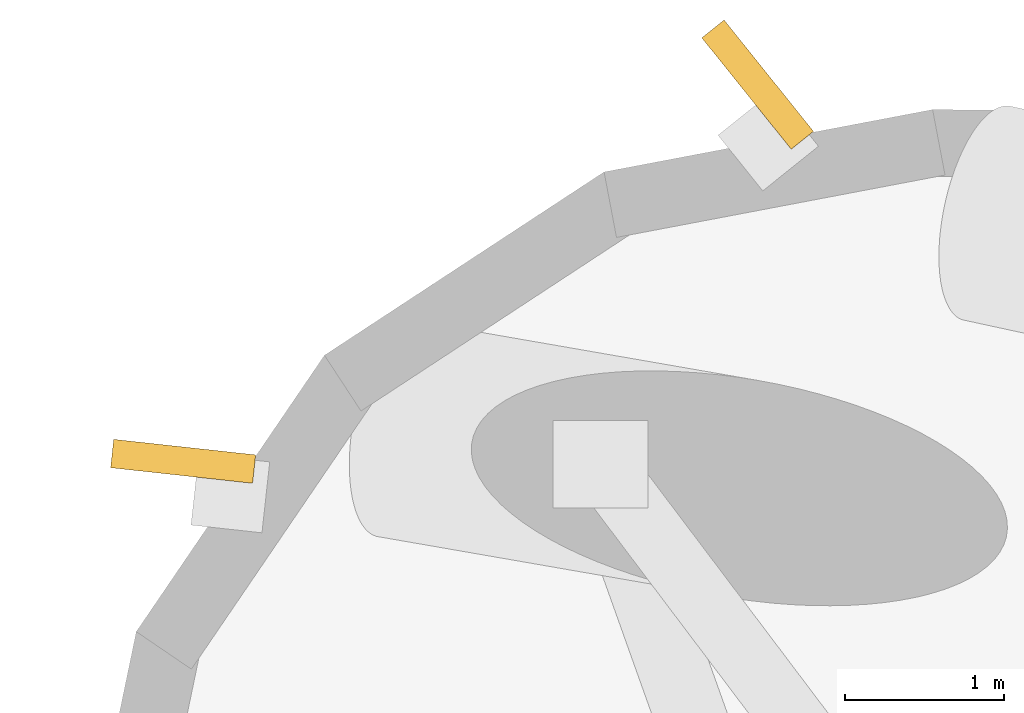
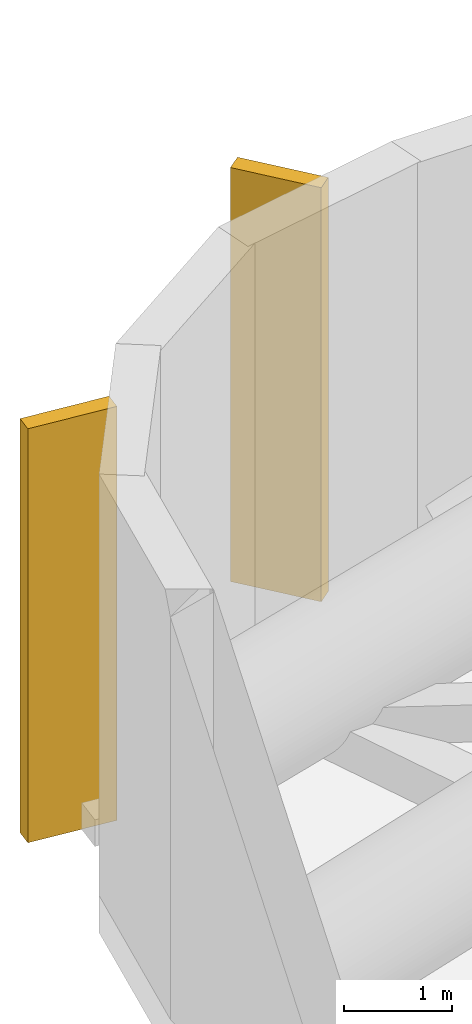
# One storey, part 12 of 13: 2 shading devices.
"""IFC4 building model written with IfcOpenShell, lengths in metres."""

import ifcopenshell
import ifcopenshell.guid

model = None  # the IFC model being written
_history = None  # IfcOwnerHistory: only IFC2X3 demands one
_inside = {}  # id of a spatial element -> (the spatial element, [elements in it])
_under = {}  # id of a project, library or spatial element -> (it, [spatial elements below it])
_declared = {}  # id of a project -> (the project, [libraries it declares])
_typed = {}  # id of a type object -> (the type object, [elements of that type])
_made_of = {}  # id of a material, layer set ... -> (it, [elements and type objects made of it])


def new_model(schema):
    """Start an empty IFC model of exactly this schema.

    Asked for "IFC4X3", IfcOpenShell would pick the latest addendum, in which some entities
    have other attributes; the version numbers below select the first issue.
    IFC2X3 requires an IfcOwnerHistory on every rooted entity: one is made here for all.
    """
    global model, _history
    if schema == "IFC4X3":
        model = ifcopenshell.file(schema_version=(4, 3, 0, 0))
    else:
        model = ifcopenshell.file(schema=schema)
    _inside.clear()
    _under.clear()
    _declared.clear()
    _typed.clear()
    _made_of.clear()
    _history = None
    if model.schema == "IFC2X3":
        org = make("IfcOrganization", Name="unknown")
        user = make(
            "IfcPersonAndOrganization",
            ThePerson=make("IfcPerson", FamilyName="unknown"),
            TheOrganization=org,
        )
        app = make(
            "IfcApplication",
            ApplicationDeveloper=org,
            Version="unknown",
            ApplicationFullName="unknown",
            ApplicationIdentifier="unknown",
        )
        _history = make(
            "IfcOwnerHistory",
            OwningUser=user,
            OwningApplication=app,
            ChangeAction="ADDED",
            CreationDate=0,
        )
    return model


def make(cls, **values):
    """One entity of the class cls with the attributes given. An attribute that is None is left unset."""
    return model.create_entity(
        cls, **{name: value for name, value in values.items() if value is not None}
    )


def rooted(cls, **values):
    """An entity with a GlobalId (a new one), such as an element, a storey or a relation."""
    return make(cls, GlobalId=ifcopenshell.guid.new(), OwnerHistory=_history, **values)


def si_unit(unit_type, name, prefix=None):
    """IfcSIUnit, for example si_unit("LENGTHUNIT", "METRE", prefix="MILLI")."""
    return make("IfcSIUnit", UnitType=unit_type, Prefix=prefix, Name=name)


def assignment(units):
    """IfcUnitAssignment: the units of a project."""
    return None if units is None else make("IfcUnitAssignment", Units=units)


def point(xyz):
    """IfcCartesianPoint."""
    return None if xyz is None else make("IfcCartesianPoint", Coordinates=xyz)


def direction(xyz):
    """IfcDirection."""
    return None if xyz is None else make("IfcDirection", DirectionRatios=xyz)


def frame(location, z_axis=None, x_axis=None):
    """IfcAxis2Placement3D, a coordinate frame: its origin and axes. An axis left out is left unset."""
    return make(
        "IfcAxis2Placement3D",
        Location=point(location),
        Axis=direction(z_axis),
        RefDirection=direction(x_axis),
    )


def frame_2d(location, x_axis=None):
    """IfcAxis2Placement2D, a coordinate frame in the plane: its origin and x axis."""
    return make(
        "IfcAxis2Placement2D", Location=point(location), RefDirection=direction(x_axis)
    )


def origin():
    """The frame at (0, 0, 0) with its axes left unset."""
    return frame((0.0, 0.0, 0.0))


def origin_2d():
    """The frame at (0, 0) in the plane with its x axis left unset."""
    return frame_2d((0.0, 0.0))


def place(relative_to, where):
    """IfcLocalPlacement: puts the frame where relative to a parent placement (None: the world)."""
    return make(
        "IfcLocalPlacement", PlacementRelTo=relative_to, RelativePlacement=where
    )


def context(
    kind, dimensions, precision=None, world=None, true_north=None, identifier=None
):
    """IfcGeometricRepresentationContext, for example the 3D "Model" context."""
    return make(
        "IfcGeometricRepresentationContext",
        ContextIdentifier=identifier,
        ContextType=kind,
        CoordinateSpaceDimension=dimensions,
        Precision=precision,
        WorldCoordinateSystem=world,
        TrueNorth=true_north,
    )


def subcontext(parent, identifier, kind, view, scale=None):
    """IfcGeometricRepresentationSubContext, for example "Body" below "Model"."""
    return make(
        "IfcGeometricRepresentationSubContext",
        ContextIdentifier=identifier,
        ContextType=kind,
        ParentContext=parent,
        TargetScale=scale,
        TargetView=view,
    )


def project(units=None, contexts=None):
    """IfcProject with its units and contexts."""
    return rooted(
        "IfcProject",
        Name="project",
        RepresentationContexts=contexts,
        UnitsInContext=assignment(units),
    )


def spatial(cls, under=None, at=None, **own):
    """A site, building, storey or space (cls), placed at a placement, below another one or the project."""
    s = rooted(cls, ObjectPlacement=at, **own)
    if under is not None:
        _under.setdefault(under.id(), (under, []))[1].append(s)
    return s


def profile(cls, at=None, kind="AREA", **sizes):
    """A parametric profile (cls). Its sizes go by their IFC names, for example OverallWidth=200.0."""
    return make(cls, ProfileType=kind, Position=at, **sizes)


def rectangle(**sizes):
    """IfcRectangleProfileDef."""
    return profile("IfcRectangleProfileDef", **sizes)


def extrude(swept, where, along, depth):
    """IfcExtrudedAreaSolid: the profile swept, set in the frame where, extruded along a direction by depth."""
    return make(
        "IfcExtrudedAreaSolid",
        SweptArea=swept,
        Position=where,
        ExtrudedDirection=direction(along),
        Depth=depth,
    )


def shape(context_of_items, identifier, shape_type, items):
    """IfcShapeRepresentation: the items that make up one representation, for example the "Body"."""
    return make(
        "IfcShapeRepresentation",
        ContextOfItems=context_of_items,
        RepresentationIdentifier=identifier,
        RepresentationType=shape_type,
        Items=items,
    )


def material(Name=None, Category=None):
    """IfcMaterial."""
    return make("IfcMaterial", Name=Name, Category=Category)


def made_of(thing, what):
    """Note that an element or type object is made of a material, layer set ...; save() writes the relation."""
    if what is not None:
        _made_of.setdefault(what.id(), (what, []))[1].append(thing)
    return thing


def type_object(cls, material=None, **own):
    """A type object (cls), such as IfcWallType, which elements share."""
    return made_of(rooted(cls, **own), material)


def element(
    cls,
    number,
    at=None,
    inside=None,
    cuts=None,
    type_object=None,
    material=None,
    context=None,
    identifier="Body",
    shape_type=None,
    held_by="IfcProductDefinitionShape",
    body=None,
    shapes=None,
    **own,
):
    """One element of the class cls, such as IfcWall. Its Tag is "e" and its number.

    at: its placement. inside: the storey or other place that contains it. cuts: it is an
    opening in that element (IfcRelVoidsElement). A single representation is given by context,
    identifier, shape_type and body (its items); several are given by shapes. held_by: the class
    of the entity that holds the representations. save() writes the other relations.
    """
    e = rooted(cls, Tag="e%d" % number, ObjectPlacement=at, **own)
    if body is not None:
        shapes = [shape(context, identifier, shape_type, body)]
    if shapes is not None:
        e.Representation = make(held_by, Representations=shapes)
    if inside is not None:
        _inside.setdefault(inside.id(), (inside, []))[1].append(e)
    if cuts is not None:
        rooted(
            "IfcRelVoidsElement", RelatingBuildingElement=cuts, RelatedOpeningElement=e
        )
    if type_object is not None:
        _typed.setdefault(type_object.id(), (type_object, []))[1].append(e)
    return made_of(e, material)


def aggregate(whole, parts):
    """IfcRelAggregates: a whole, such as a stair, and the parts it consists of."""
    return rooted("IfcRelAggregates", RelatingObject=whole, RelatedObjects=parts)


def save(model, path):
    """Write the relations noted so far, then the file.

    IfcRelAggregates (storeys below a building ...), IfcRelContainedInSpatialStructure (elements
    in a storey), IfcRelDefinesByType, IfcRelAssociatesMaterial and IfcRelDeclares: one each for
    every whole, place, type object, material and project.
    """
    for whole, parts in _under.values():
        aggregate(whole, parts)
    for where, things in _inside.values():
        rooted(
            "IfcRelContainedInSpatialStructure",
            RelatedElements=things,
            RelatingStructure=where,
        )
    for kind, things in _typed.values():
        rooted("IfcRelDefinesByType", RelatedObjects=things, RelatingType=kind)
    for what, things in _made_of.values():
        rooted("IfcRelAssociatesMaterial", RelatedObjects=things, RelatingMaterial=what)
    for by, libraries in _declared.values():
        rooted("IfcRelDeclares", RelatingContext=by, RelatedDefinitions=libraries)
    model.write(path)


model = new_model("IFC4")

# Units and contexts
model_context = context("Model", 3, precision=1e-05, world=origin(), true_north=direction((0.0, 1.0)))
body_context = subcontext(model_context, "Body", "Model", "MODEL_VIEW")
ifc_project = project(units=[si_unit("LENGTHUNIT", "METRE"), si_unit("AREAUNIT", "SQUARE_METRE"), si_unit("VOLUMEUNIT", "CUBIC_METRE"), si_unit("PLANEANGLEUNIT", "RADIAN"), si_unit("MASSUNIT", "GRAM", prefix="KILO")], contexts=[model_context])

# Site, building, storey
site_placement = place(None, origin())
site = spatial("IfcSite", under=ifc_project, at=site_placement, CompositionType="ELEMENT")
building_placement = place(site_placement, origin())
building = spatial("IfcBuilding", under=site, at=building_placement, Name="Kolvaren Arena Tower", CompositionType="ELEMENT")
storey_placement = place(building_placement, frame((0.0, 0.0, 210.949951171875)))
storey = spatial("IfcBuildingStorey", under=building, at=storey_placement, Name="L51", CompositionType="ELEMENT", Elevation=210.949951171875)

# Shading devices
ifc_material = material(Name="Precast architectural concrete C50/60 rib fin", Category="concrete")
shading_device_type = type_object("IfcShadingDeviceType", Name="SHAD-FIN-28", PredefinedType="USERDEFINED", material=ifc_material)
for number, where, z_axis, x_axis, name in (
    (1, (9.997802734375, 51.77197265625, 0.02001953125), (0.0, 0.0, 1.0), (-0.625923472184, 0.779884483093, 0.0), "Precast 28-Deg Corner Rib Fin (L51)"),
    (2, (6.37744140625, 49.398193359375, 0.02001953125), (0.0, 0.0, 1.0), (-0.994056908234, 0.108861669984, 0.0), "Precast 28-Deg Corner Rib Fin (L51)"),
):
    element("IfcShadingDevice", number, at=place(storey_placement, frame(where, z_axis=z_axis, x_axis=x_axis)), inside=storey, type_object=shading_device_type, Name=name, ObjectType="FIN", PredefinedType="USERDEFINED", context=body_context, shape_type="SweptSolid", body=[
        extrude(rectangle(XDim=0.89990234375, YDim=0.179931640625, at=origin_2d()), origin(), (0.0, 0.0, 1.0), 4.669921875),
    ])

save(model, "model.ifc")
